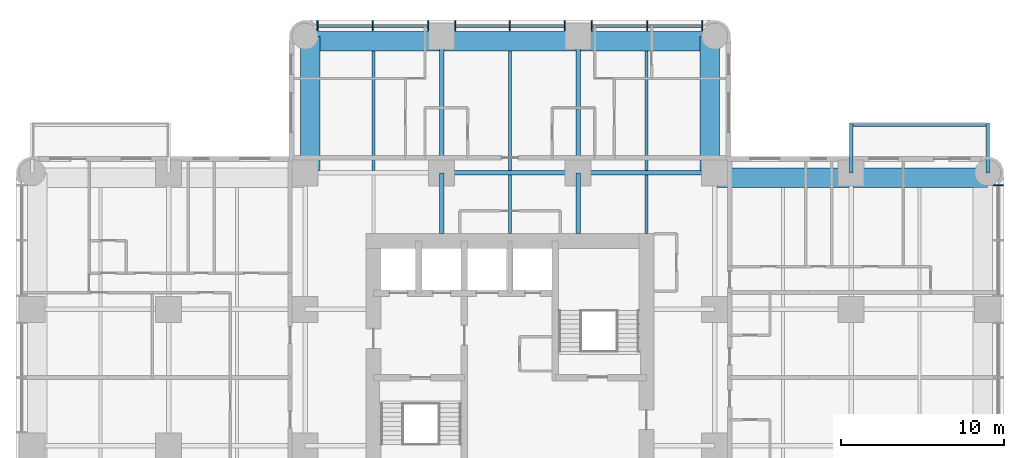
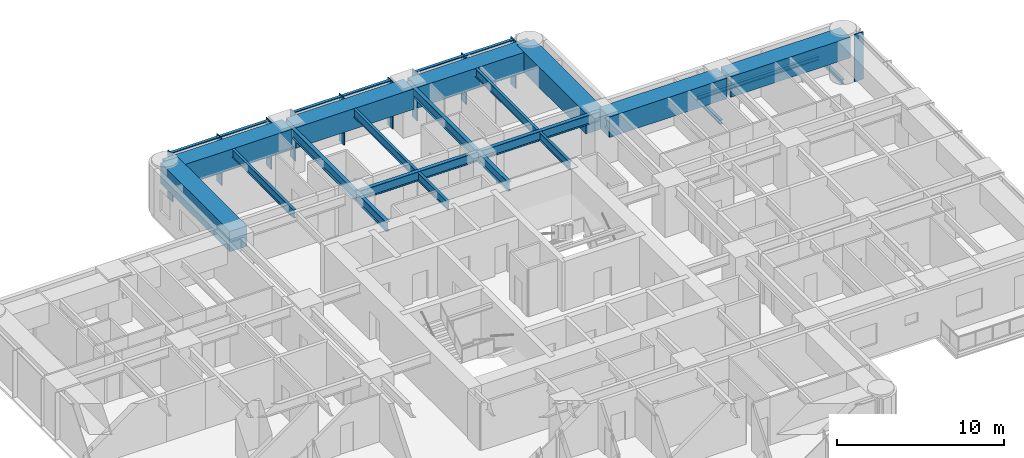
# One storey, part 4 of 14: 21 beams, 16 members, 2 elements without a shape of their own.
"""IFC4 building model written with IfcOpenShell, lengths in metres."""

from ifc_helpers import new_model, si_unit, direction, frame, origin, origin_2d, place, context, subcontext, project, spatial, rectangle, i_section, extrude, material, material_profile, profile_set, type_object, element, aggregate, save


model = new_model("IFC4")

# Units and contexts
model_context = context("Model", 3, precision=1e-05, world=origin(), true_north=direction((0.0, 1.0)))
body_context = subcontext(model_context, "Body", "Model", "MODEL_VIEW")
ifc_project = project(units=[si_unit("LENGTHUNIT", "METRE"), si_unit("AREAUNIT", "SQUARE_METRE"), si_unit("VOLUMEUNIT", "CUBIC_METRE"), si_unit("PLANEANGLEUNIT", "RADIAN"), si_unit("MASSUNIT", "GRAM", prefix="KILO")], contexts=[model_context])

# Site, building, storey
site_placement = place(None, origin())
site = spatial("IfcSite", under=ifc_project, at=site_placement, CompositionType="ELEMENT")
building_placement = place(site_placement, origin())
building = spatial("IfcBuilding", under=site, at=building_placement, Name="Torre Alcanfor", CompositionType="ELEMENT")
storey_placement = place(building_placement, frame((0.0, 0.0, 166.5)))
storey = spatial("IfcBuildingStorey", under=building, at=storey_placement, Name="L43", CompositionType="ELEMENT", Elevation=166.5)

# Beams
ifc_material_1 = material(Name="Steel ASTM A992 Grade 50", Category="steel")
ifc_material_profile_1 = material_profile(ifc_material_1, i_section(OverallWidth=0.205322265625, OverallDepth=0.309814453125, WebThickness=0.00927734375, FlangeThickness=0.016357421875, at=origin_2d()), Name="W12x50")
ifc_profile_set_1 = profile_set([ifc_material_profile_1], Name="Steel ASTM A992 Grade 50")
beam_type_1 = type_object("IfcBeamType", Name="Balcony cantilever beam W12x50", PredefinedType="BEAM", material=ifc_profile_set_1)
for number, where, z_axis, x_axis, name in (
    (1, (50.39990234375, 42.0, -0.35498046875), (0.0, 1.0, 0.0), (-1.0, 0.0, 0.0), "Balcony cantilever beam L43-E1 1"),
    (2, (58.800048828125, 42.0, -0.35498046875), (0.0, 1.0, 0.0), (-1.0, 0.0, 0.0), "Balcony cantilever beam L43-E1 2"),
):
    element("IfcBeam", number, at=place(storey_placement, frame(where, z_axis=z_axis, x_axis=x_axis)), inside=storey, type_object=beam_type_1, Name=name, PredefinedType="BEAM", context=body_context, shape_type="SweptSolid", body=[
        extrude(i_section(OverallWidth=0.205322265625, OverallDepth=0.309814453125, WebThickness=0.00927734375, FlangeThickness=0.016357421875, at=origin_2d()), origin(), (0.0, 0.0, 1.0), 3.050048828125),
    ])
ifc_material_2 = material(Name="Steel ASTM A992 Grade 50", Category="steel")
ifc_material_profile_2 = material_profile(ifc_material_2, i_section(OverallWidth=0.203369140625, OverallDepth=0.30224609375, WebThickness=0.007568359375, FlangeThickness=0.01318359375, at=origin_2d()), Name="W12x40")
ifc_profile_set_2 = profile_set([ifc_material_profile_2], Name="Steel ASTM A992 Grade 50")
beam_type_2 = type_object("IfcBeamType", Name="Balcony edge trimmer W12x40", PredefinedType="BEAM", material=ifc_profile_set_2)
beam_1_placement = place(storey_placement, frame((50.39990234375, 44.9482421875, -0.35107421875), z_axis=(1.0, 0.0, 0.0), x_axis=(0.0, 1.0, 0.0)))
element("IfcBeam", 3, at=beam_1_placement, inside=storey, type_object=beam_type_2, Name="Balcony edge trimmer L43-E1", PredefinedType="BEAM", context=body_context, shape_type="SweptSolid", body=[
    extrude(i_section(OverallWidth=0.203369140625, OverallDepth=0.30224609375, WebThickness=0.007568359375, FlangeThickness=0.01318359375, at=origin_2d()), origin(), (0.0, 0.0, 1.0), 8.400146484375),
])

# Curtain wall, member
ifc_material_3 = material(Name="Aluminium and glass", Category="aluminium")
curtain_wall_type = type_object("IfcCurtainWallType", Name="CW-A unitised apartment glazing with vertical FIN", PredefinedType="NOTDEFINED", material=ifc_material_3)
curtain_wall_1_placement = place(storey_placement, origin())
curtain_wall_1 = element("IfcCurtainWall", 4, at=curtain_wall_1_placement, inside=storey, type_object=curtain_wall_type, Name="Curtain wall CW-A L43 8", PredefinedType="NOTDEFINED")
ifc_material_4 = material(Name="Bronze anodised aluminium", Category="aluminium")
ifc_material_profile_3 = material_profile(ifc_material_4, rectangle(XDim=0.60009765625, YDim=0.06494140625, at=origin_2d()), Name="CW-A mullion 65x600")
ifc_profile_set_3 = profile_set([ifc_material_profile_3], Name="Bronze anodised aluminium")
member_type_1 = type_object("IfcMemberType", Name="CW-A mullion with vertical FIN 65x600", PredefinedType="MULLION", material=ifc_profile_set_3)
member_1_placement = place(storey_placement, frame((59.449951171875, 41.24267578125, 0.0), z_axis=(0.0, 0.0, 1.0), x_axis=(-1.0, 0.0, 0.0)))
member_1 = element("IfcMember", 5, at=member_1_placement, type_object=member_type_1, Name="CW-A mullion 3.3", PredefinedType="MULLION", context=body_context, shape_type="SweptSolid", body=[
    extrude(rectangle(XDim=0.60009765625, YDim=0.06494140625, at=origin_2d()), origin(), (0.0, 0.0, 1.0), 3.449951171875),
])
aggregate(curtain_wall_1, [member_1])

# Curtain wall, members
curtain_wall_2_placement = place(storey_placement, origin())
curtain_wall_2 = element("IfcCurtainWall", 6, at=curtain_wall_2_placement, inside=storey, type_object=curtain_wall_type, Name="Curtain wall CW-A L43 11", PredefinedType="NOTDEFINED")
member_2_placement = place(storey_placement, frame((41.24267578125, 51.050048828125, 0.0), z_axis=(0.0, 0.0, 1.0), x_axis=(0.0, -1.0, 0.0)))
member_2 = element("IfcMember", 7, at=member_2_placement, type_object=member_type_1, Name="CW-A mullion 1.1", PredefinedType="MULLION", context=body_context, shape_type="SweptSolid", body=[
    extrude(rectangle(XDim=0.60009765625, YDim=0.06494140625, at=origin_2d()), origin(), (0.0, 0.0, 1.0), 3.449951171875),
])
member_3_placement = place(storey_placement, frame((37.840087890625, 51.050048828125, 0.0), z_axis=(0.0, 0.0, 1.0), x_axis=(0.0, -1.0, 0.0)))
member_3 = element("IfcMember", 8, at=member_3_placement, type_object=member_type_1, Name="CW-A mullion 1.2", PredefinedType="MULLION", context=body_context, shape_type="SweptSolid", body=[
    extrude(rectangle(XDim=0.60009765625, YDim=0.06494140625, at=origin_2d()), origin(), (0.0, 0.0, 1.0), 3.449951171875),
])
member_4_placement = place(storey_placement, frame((34.4375, 51.050048828125, 0.0), z_axis=(0.0, 0.0, 1.0), x_axis=(0.0, -1.0, 0.0)))
member_4 = element("IfcMember", 9, at=member_4_placement, type_object=member_type_1, Name="CW-A mullion 1.3", PredefinedType="MULLION", context=body_context, shape_type="SweptSolid", body=[
    extrude(rectangle(XDim=0.60009765625, YDim=0.06494140625, at=origin_2d()), origin(), (0.0, 0.0, 1.0), 3.449951171875),
])
member_5_placement = place(storey_placement, frame((32.762451171875, 51.050048828125, 0.0), z_axis=(0.0, 0.0, 1.0), x_axis=(0.0, -1.0, 0.0)))
member_5 = element("IfcMember", 10, at=member_5_placement, type_object=member_type_1, Name="CW-A mullion 2.1", PredefinedType="MULLION", context=body_context, shape_type="SweptSolid", body=[
    extrude(rectangle(XDim=0.60009765625, YDim=0.06494140625, at=origin_2d()), origin(), (0.0, 0.0, 1.0), 3.449951171875),
])
member_6_placement = place(storey_placement, frame((29.39990234375, 51.050048828125, 0.0), z_axis=(0.0, 0.0, 1.0), x_axis=(0.0, -1.0, 0.0)))
member_6 = element("IfcMember", 11, at=member_6_placement, type_object=member_type_1, Name="CW-A mullion 2.2", PredefinedType="MULLION", context=body_context, shape_type="SweptSolid", body=[
    extrude(rectangle(XDim=0.60009765625, YDim=0.06494140625, at=origin_2d()), origin(), (0.0, 0.0, 1.0), 3.449951171875),
])
member_7_placement = place(storey_placement, frame((26.03759765625, 51.050048828125, 0.0), z_axis=(0.0, 0.0, 1.0), x_axis=(0.0, -1.0, 0.0)))
member_7 = element("IfcMember", 12, at=member_7_placement, type_object=member_type_1, Name="CW-A mullion 2.3", PredefinedType="MULLION", context=body_context, shape_type="SweptSolid", body=[
    extrude(rectangle(XDim=0.60009765625, YDim=0.06494140625, at=origin_2d()), origin(), (0.0, 0.0, 1.0), 3.449951171875),
])
member_8_placement = place(storey_placement, frame((24.362548828125, 51.050048828125, 0.0), z_axis=(0.0, 0.0, 1.0), x_axis=(0.0, -1.0, 0.0)))
member_8 = element("IfcMember", 13, at=member_8_placement, type_object=member_type_1, Name="CW-A mullion 3.1", PredefinedType="MULLION", context=body_context, shape_type="SweptSolid", body=[
    extrude(rectangle(XDim=0.60009765625, YDim=0.06494140625, at=origin_2d()), origin(), (0.0, 0.0, 1.0), 3.449951171875),
])
member_9_placement = place(storey_placement, frame((20.9599609375, 51.050048828125, 0.0), z_axis=(0.0, 0.0, 1.0), x_axis=(0.0, -1.0, 0.0)))
member_9 = element("IfcMember", 14, at=member_9_placement, type_object=member_type_1, Name="CW-A mullion 3.2", PredefinedType="MULLION", context=body_context, shape_type="SweptSolid", body=[
    extrude(rectangle(XDim=0.60009765625, YDim=0.06494140625, at=origin_2d()), origin(), (0.0, 0.0, 1.0), 3.449951171875),
])
member_10_placement = place(storey_placement, frame((17.557373046875, 51.050048828125, 0.0), z_axis=(0.0, 0.0, 1.0), x_axis=(0.0, -1.0, 0.0)))
member_10 = element("IfcMember", 15, at=member_10_placement, type_object=member_type_1, Name="CW-A mullion 3.3", PredefinedType="MULLION", context=body_context, shape_type="SweptSolid", body=[
    extrude(rectangle(XDim=0.60009765625, YDim=0.06494140625, at=origin_2d()), origin(), (0.0, 0.0, 1.0), 3.449951171875),
])
ifc_material_5 = material(Name="Extruded aluminium", Category="aluminium")
ifc_material_profile_4 = material_profile(ifc_material_5, rectangle(XDim=0.199951171875, YDim=0.06494140625, at=origin_2d()), Name="CW-A transom 200x65")
ifc_profile_set_4 = profile_set([ifc_material_profile_4], Name="Extruded aluminium")
member_type_2 = type_object("IfcMemberType", Name="CW-A transom 65x200", PredefinedType="USERDEFINED", material=ifc_profile_set_4)
member_11_placement = place(storey_placement, frame((41.210205078125, 51.050048828125, 3.41748046875), z_axis=(-1.0, 0.0, 0.0), x_axis=(0.0, -1.0, 0.0)))
member_11 = element("IfcMember", 16, at=member_11_placement, type_object=member_type_2, Name="CW-A transom 1.1.2", ObjectType="TRANSOM", PredefinedType="USERDEFINED", context=body_context, shape_type="SweptSolid", body=[
    extrude(rectangle(XDim=0.199951171875, YDim=0.06494140625, at=origin_2d()), origin(), (0.0, 0.0, 1.0), 3.337646484375),
])
member_12_placement = place(storey_placement, frame((37.8076171875, 51.050048828125, 3.41748046875), z_axis=(-1.0, 0.0, 0.0), x_axis=(0.0, -1.0, 0.0)))
member_12 = element("IfcMember", 17, at=member_12_placement, type_object=member_type_2, Name="CW-A transom 1.2.2", ObjectType="TRANSOM", PredefinedType="USERDEFINED", context=body_context, shape_type="SweptSolid", body=[
    extrude(rectangle(XDim=0.199951171875, YDim=0.06494140625, at=origin_2d()), origin(), (0.0, 0.0, 1.0), 3.337646484375),
])
member_13_placement = place(storey_placement, frame((32.72998046875, 51.050048828125, 3.41748046875), z_axis=(-1.0, 0.0, 0.0), x_axis=(0.0, -1.0, 0.0)))
member_13 = element("IfcMember", 18, at=member_13_placement, type_object=member_type_2, Name="CW-A transom 2.1.2", ObjectType="TRANSOM", PredefinedType="USERDEFINED", context=body_context, shape_type="SweptSolid", body=[
    extrude(rectangle(XDim=0.199951171875, YDim=0.06494140625, at=origin_2d()), origin(), (0.0, 0.0, 1.0), 3.29736328125),
])
member_14_placement = place(storey_placement, frame((29.367431640625, 51.050048828125, 3.41748046875), z_axis=(-1.0, 0.0, 0.0), x_axis=(0.0, -1.0, 0.0)))
member_14 = element("IfcMember", 19, at=member_14_placement, type_object=member_type_2, Name="CW-A transom 2.2.2", ObjectType="TRANSOM", PredefinedType="USERDEFINED", context=body_context, shape_type="SweptSolid", body=[
    extrude(rectangle(XDim=0.199951171875, YDim=0.06494140625, at=origin_2d()), origin(), (0.0, 0.0, 1.0), 3.29736328125),
])
member_15_placement = place(storey_placement, frame((24.330078125, 51.050048828125, 3.41748046875), z_axis=(-1.0, 0.0, 0.0), x_axis=(0.0, -1.0, 0.0)))
member_15 = element("IfcMember", 20, at=member_15_placement, type_object=member_type_2, Name="CW-A transom 3.1.2", ObjectType="TRANSOM", PredefinedType="USERDEFINED", context=body_context, shape_type="SweptSolid", body=[
    extrude(rectangle(XDim=0.199951171875, YDim=0.06494140625, at=origin_2d()), origin(), (0.0, 0.0, 1.0), 3.337646484375),
])
member_16_placement = place(storey_placement, frame((20.927490234375, 51.050048828125, 3.41748046875), z_axis=(-1.0, 0.0, 0.0), x_axis=(0.0, -1.0, 0.0)))
member_16 = element("IfcMember", 21, at=member_16_placement, type_object=member_type_2, Name="CW-A transom 3.2.2", ObjectType="TRANSOM", PredefinedType="USERDEFINED", context=body_context, shape_type="SweptSolid", body=[
    extrude(rectangle(XDim=0.199951171875, YDim=0.06494140625, at=origin_2d()), origin(), (0.0, 0.0, 1.0), 3.337646484375),
])
aggregate(curtain_wall_2, [member_2, member_3, member_4, member_11, member_12, member_5, member_6, member_7, member_13, member_14, member_8, member_9, member_10, member_15, member_16])

# Beams
ifc_material_6 = material(Name="Steel ASTM A992 Grade 50", Category="steel")
ifc_material_profile_5 = material_profile(ifc_material_6, i_section(OverallWidth=0.25390625, OverallDepth=0.683349609375, WebThickness=0.012451171875, FlangeThickness=0.01904296875, at=origin_2d()), Name="W27x94")
ifc_profile_set_5 = profile_set([ifc_material_profile_5], Name="Steel ASTM A992 Grade 50")
beam_type_3 = type_object("IfcBeamType", Name="Girder W27x94", PredefinedType="BEAM", material=ifc_profile_set_5)
beam_2_placement = place(storey_placement, frame((25.199951171875, 42.0, 3.1083984375), z_axis=(1.0, 0.0, 0.0), x_axis=(0.0, 1.0, 0.0)))
element("IfcBeam", 22, at=beam_2_placement, inside=storey, type_object=beam_type_3, Name="Beam 4H-5H under L44", PredefinedType="BEAM", context=body_context, shape_type="SweptSolid", body=[
    extrude(i_section(OverallWidth=0.25390625, OverallDepth=0.683349609375, WebThickness=0.012451171875, FlangeThickness=0.01904296875, at=origin_2d()), origin(), (0.0, 0.0, 1.0), 8.400146484375),
])
for number, where, z_axis, x_axis, name in (
    (23, (33.60009765625, 42.0, 3.1083984375), (1.0, 0.0, 0.0), (0.0, 1.0, 0.0), "Beam 5H-6H under L44"),
    (24, (25.199951171875, 42.0, 3.1083984375), (0.0, 1.0, 0.0), (-1.0, 0.0, 0.0), "Beam 4H-4J under L44"),
    (25, (33.60009765625, 42.0, 3.1083984375), (0.0, 1.0, 0.0), (-1.0, 0.0, 0.0), "Beam 5H-5J under L44"),
):
    element("IfcBeam", number, at=place(storey_placement, frame(where, z_axis=z_axis, x_axis=x_axis)), inside=storey, type_object=beam_type_3, Name=name, PredefinedType="BEAM", context=body_context, shape_type="SweptSolid", body=[
        extrude(i_section(OverallWidth=0.25390625, OverallDepth=0.683349609375, WebThickness=0.012451171875, FlangeThickness=0.01904296875, at=origin_2d()), origin(), (0.0, 0.0, 1.0), 8.39990234375),
    ])
ifc_material_7 = material(Name="Steel ASTM A992 Grade 50", Category="steel")
ifc_material_profile_6 = material_profile(ifc_material_7, i_section(OverallWidth=0.25390625, OverallDepth=0.683349609375, WebThickness=0.012451171875, FlangeThickness=0.01904296875, at=origin_2d()), Name="W27x94")
ifc_profile_set_6 = profile_set([ifc_material_profile_6], Name="Steel ASTM A992 Grade 50")
beam_type_4 = type_object("IfcBeamType", Name="Girder, part bay W27x94", PredefinedType="BEAM", material=ifc_profile_set_6)
for number, where, z_axis, x_axis, name in (
    (26, (25.199951171875, 42.0, 3.1083984375), (0.0, -1.0, 0.0), (1.0, 0.0, 0.0), "Beam 4H-438_25 under L44"),
    (27, (33.60009765625, 42.0, 3.1083984375), (0.0, -1.0, 0.0), (1.0, 0.0, 0.0), "Beam 5H-538_25 under L44"),
):
    element("IfcBeam", number, at=place(storey_placement, frame(where, z_axis=z_axis, x_axis=x_axis)), inside=storey, type_object=beam_type_4, Name=name, PredefinedType="BEAM", context=body_context, shape_type="SweptSolid", body=[
        extrude(i_section(OverallWidth=0.25390625, OverallDepth=0.683349609375, WebThickness=0.012451171875, FlangeThickness=0.01904296875, at=origin_2d()), origin(), (0.0, 0.0, 1.0), 3.75),
    ])
ifc_material_8 = material(Name="Concrete f'c 70 MPa", Category="concrete")
ifc_material_profile_7 = material_profile(ifc_material_8, rectangle(XDim=1.199951171875, YDim=1.5, at=origin_2d()), Name="1200x1500")
ifc_profile_set_7 = profile_set([ifc_material_profile_7], Name="Concrete f'c 70 MPa")
beam_type_5 = type_object("IfcBeamType", Name="RC perimeter beam 1200x1500", PredefinedType="BEAM", material=ifc_profile_set_7)
beam_3_placement = place(storey_placement, frame((42.126953125, 41.699951171875, 2.699951171875), z_axis=(1.0, 0.0, 0.0), x_axis=(0.0, 1.0, 0.0)))
element("IfcBeam", 28, at=beam_3_placement, inside=storey, type_object=beam_type_5, Name="Beam 6H-7H under L44", PredefinedType="BEAM", context=body_context, shape_type="SweptSolid", body=[
    extrude(rectangle(XDim=1.199951171875, YDim=1.5, at=origin_2d()), origin(), (0.0, 0.0, 1.0), 8.14599609375),
])
for number, where, z_axis, x_axis, name in (
    (29, (50.527099609375, 41.699951171875, 2.699951171875), (1.0, 0.0, 0.0), (0.0, 1.0, 0.0), "Beam 7H-8H under L44"),
    (30, (16.800048828125, 50.10009765625, 2.699951171875), (1.0, 0.0, 0.0), (0.0, 1.0, 0.0), "Beam 3J-4J under L44"),
):
    element("IfcBeam", number, at=place(storey_placement, frame(where, z_axis=z_axis, x_axis=x_axis)), inside=storey, type_object=beam_type_5, Name=name, PredefinedType="BEAM", context=body_context, shape_type="SweptSolid", body=[
        extrude(rectangle(XDim=1.199951171875, YDim=1.5, at=origin_2d()), origin(), (0.0, 0.0, 1.0), 8.27294921875),
    ])
beam_4_placement = place(storey_placement, frame((25.326904296875, 50.10009765625, 2.699951171875), z_axis=(1.0, 0.0, 0.0), x_axis=(0.0, 1.0, 0.0)))
element("IfcBeam", 31, at=beam_4_placement, inside=storey, type_object=beam_type_5, Name="Beam 4J-5J under L44", PredefinedType="BEAM", context=body_context, shape_type="SweptSolid", body=[
    extrude(rectangle(XDim=1.199951171875, YDim=1.5, at=origin_2d()), origin(), (0.0, 0.0, 1.0), 8.14599609375),
])
for number, where, z_axis, x_axis, name in (
    (32, (33.72705078125, 50.10009765625, 2.699951171875), (1.0, 0.0, 0.0), (0.0, 1.0, 0.0), "Beam 5J-6J under L44"),
    (33, (17.10009765625, 42.126953125, 2.699951171875), (0.0, 1.0, 0.0), (-1.0, 0.0, 0.0), "Beam 3H-3J under L44"),
    (34, (41.699951171875, 42.126953125, 2.699951171875), (0.0, 1.0, 0.0), (-1.0, 0.0, 0.0), "Beam 6H-6J under L44"),
):
    element("IfcBeam", number, at=place(storey_placement, frame(where, z_axis=z_axis, x_axis=x_axis)), inside=storey, type_object=beam_type_5, Name=name, PredefinedType="BEAM", context=body_context, shape_type="SweptSolid", body=[
        extrude(rectangle(XDim=1.199951171875, YDim=1.5, at=origin_2d()), origin(), (0.0, 0.0, 1.0), 8.27294921875),
    ])
ifc_material_9 = material(Name="Steel ASTM A992 Grade 50", Category="steel")
ifc_material_profile_8 = material_profile(ifc_material_9, i_section(OverallWidth=0.1787109375, OverallDepth=0.60205078125, WebThickness=0.010986328125, FlangeThickness=0.014892578125, at=origin_2d()), Name="W24x62")
ifc_profile_set_8 = profile_set([ifc_material_profile_8], Name="Steel ASTM A992 Grade 50")
beam_type_6 = type_object("IfcBeamType", Name="Secondary beam W24x62", PredefinedType="BEAM", material=ifc_profile_set_8)
for number, where, z_axis, x_axis, name in (
    (35, (21.0, 42.126953125, 3.14892578125), (0.0, 1.0, 0.0), (-1.0, 0.0, 0.0), "Beam 21H-21J under L44"),
    (36, (29.39990234375, 42.126953125, 3.14892578125), (0.0, 1.0, 0.0), (-1.0, 0.0, 0.0), "Beam 29_4H-29_4J under L44"),
    (37, (37.800048828125, 42.126953125, 3.14892578125), (0.0, 1.0, 0.0), (-1.0, 0.0, 0.0), "Beam 37_8H-37_8J under L44"),
):
    element("IfcBeam", number, at=place(storey_placement, frame(where, z_axis=z_axis, x_axis=x_axis)), inside=storey, type_object=beam_type_6, Name=name, PredefinedType="BEAM", context=body_context, shape_type="SweptSolid", body=[
        extrude(i_section(OverallWidth=0.1787109375, OverallDepth=0.60205078125, WebThickness=0.010986328125, FlangeThickness=0.014892578125, at=origin_2d()), origin(), (0.0, 0.0, 1.0), 7.373046875),
    ])
ifc_material_10 = material(Name="Steel ASTM A992 Grade 50", Category="steel")
ifc_material_profile_9 = material_profile(ifc_material_10, i_section(OverallWidth=0.1787109375, OverallDepth=0.60205078125, WebThickness=0.010986328125, FlangeThickness=0.014892578125, at=origin_2d()), Name="W24x62")
ifc_profile_set_9 = profile_set([ifc_material_profile_9], Name="Steel ASTM A992 Grade 50")
beam_type_7 = type_object("IfcBeamType", Name="Secondary beam, part bay W24x62", PredefinedType="BEAM", material=ifc_profile_set_9)
for number, where, z_axis, x_axis, name in (
    (38, (29.39990234375, 38.25, 3.14892578125), (0.0, 1.0, 0.0), (-1.0, 0.0, 0.0), "Beam 29_438_25-29_4H under L44"),
    (39, (37.800048828125, 38.25, 3.14892578125), (0.0, 1.0, 0.0), (-1.0, 0.0, 0.0), "Beam 37_838_25-37_8H under L44"),
):
    element("IfcBeam", number, at=place(storey_placement, frame(where, z_axis=z_axis, x_axis=x_axis)), inside=storey, type_object=beam_type_7, Name=name, PredefinedType="BEAM", context=body_context, shape_type="SweptSolid", body=[
        extrude(i_section(OverallWidth=0.1787109375, OverallDepth=0.60205078125, WebThickness=0.010986328125, FlangeThickness=0.014892578125, at=origin_2d()), origin(), (0.0, 0.0, 1.0), 3.623046875),
    ])

save(model, "model.ifc")
